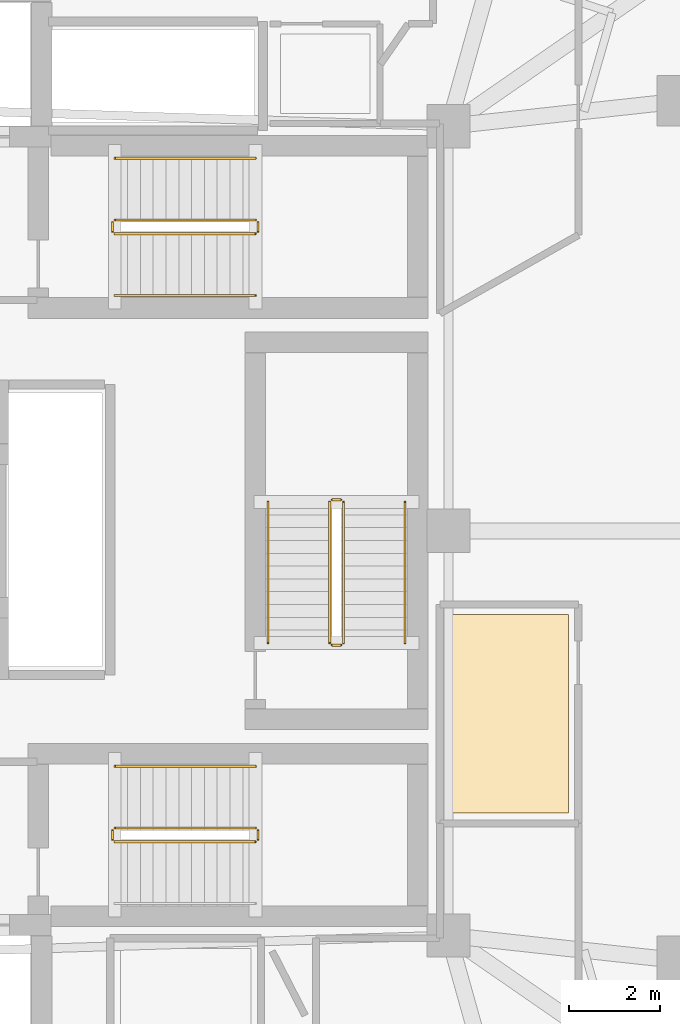
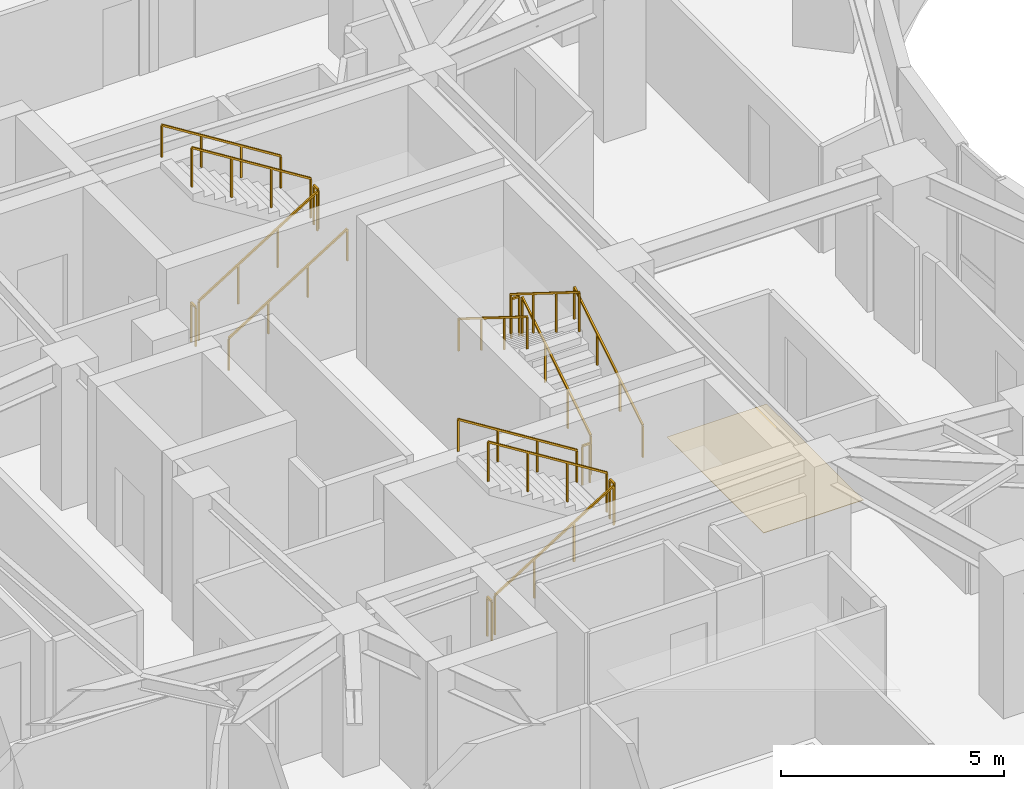
# One storey, part 14 of 15: 17 railings, 1 covering.
"""IFC4 building model written with IfcOpenShell, lengths in metres."""

from ifc_helpers import new_model, si_unit, direction, frame, origin, origin_2d, place, context, subcontext, project, spatial, polyline, rectangle, outline, extrude, material, layer, layer_set, type_object, element, save


model = new_model("IFC4")

# Units and contexts
model_context = context("Model", 3, precision=1e-05, world=origin(), true_north=direction((0.0, 1.0)))
body_context = subcontext(model_context, "Body", "Model", "MODEL_VIEW")
ifc_project = project(units=[si_unit("LENGTHUNIT", "METRE"), si_unit("AREAUNIT", "SQUARE_METRE"), si_unit("VOLUMEUNIT", "CUBIC_METRE"), si_unit("PLANEANGLEUNIT", "RADIAN"), si_unit("MASSUNIT", "GRAM", prefix="KILO")], contexts=[model_context])

# Site, building, storey
site_placement = place(None, origin())
site = spatial("IfcSite", under=ifc_project, at=site_placement, CompositionType="ELEMENT")
building_placement = place(site_placement, origin())
building = spatial("IfcBuilding", under=site, at=building_placement, Name="Korentha Bioscience Tower", CompositionType="ELEMENT")
storey_placement = place(building_placement, frame((0.0, 0.0, 42.60009765625)))
storey = spatial("IfcBuildingStorey", under=building, at=storey_placement, Name="L09", CompositionType="ELEMENT", Elevation=42.60009765625)

# Railings
ifc_material_1 = material(Name="Stainless Steel 304", Category="steel")
railing_type_1 = type_object("IfcRailingType", Name="Brushed Stainless Stair Handrail 900", PredefinedType="HANDRAIL", material=ifc_material_1)
railing_1_placement = place(storey_placement, frame((30.25, 32.14990234375, 0.1748046875)))
element("IfcRailing", 1, at=railing_1_placement, inside=storey, type_object=railing_type_1, Name="L09 ST-1 stair handrail 1", PredefinedType="HANDRAIL", context=body_context, shape_type="SweptSolid", body=[
    extrude(rectangle(XDim=0.048095703125, YDim=0.048095703125, at=origin_2d()), frame((0.0, 0.0, 0.8759765625), z_axis=(0.847998304005, 0.0, 0.529998940003), x_axis=(0.0, 1.0, 0.0)), (0.0, 0.0, 1.0), 3.632080078125),
    extrude(rectangle(XDim=0.0419921875, YDim=0.0419921875, at=origin_2d()), origin(), (0.0, 0.0, 1.0), 0.851806640625),
    extrude(rectangle(XDim=0.0419921875, YDim=0.0419921875, at=origin_2d()), frame((1.026611328125, 0.0, 0.6416015625)), (0.0, 0.0, 1.0), 0.851806640625),
    extrude(rectangle(XDim=0.0419921875, YDim=0.0419921875, at=origin_2d()), frame((2.053466796875, 0.0, 1.283447265625)), (0.0, 0.0, 1.0), 0.851806640625),
    extrude(rectangle(XDim=0.0419921875, YDim=0.0419921875, at=origin_2d()), frame((3.080078125, 0.0, 1.925048828125)), (0.0, 0.0, 1.0), 0.851806640625),
])
for number, where, name in (
    (2, (33.330078125, 35.14990234375, 2.27490234375), "L09 ST-1 stair handrail 2"),
    (3, (33.330078125, 21.85009765625, 2.27490234375), "L09 ST-2 stair handrail 2"),
):
    element("IfcRailing", number, at=place(storey_placement, frame(where)), inside=storey, type_object=railing_type_1, Name=name, PredefinedType="HANDRAIL", context=body_context, shape_type="SweptSolid", body=[
        extrude(rectangle(XDim=0.048095703125, YDim=0.048095703125, at=origin_2d()), frame((0.0, 0.0, 0.8759765625), z_axis=(-0.847998304005, 0.0, 0.529998940003), x_axis=(0.0, -1.0, 0.0)), (0.0, 0.0, 1.0), 3.632080078125),
        extrude(rectangle(XDim=0.0419921875, YDim=0.0419921875, at=origin_2d()), origin(), (0.0, 0.0, 1.0), 0.851806640625),
        extrude(rectangle(XDim=0.0419921875, YDim=0.0419921875, at=origin_2d()), frame((-1.026611328125, 0.0, 0.6416015625)), (0.0, 0.0, 1.0), 0.851806640625),
        extrude(rectangle(XDim=0.0419921875, YDim=0.0419921875, at=origin_2d()), frame((-2.053466796875, 0.0, 1.283447265625)), (0.0, 0.0, 1.0), 0.851806640625),
        extrude(rectangle(XDim=0.0419921875, YDim=0.0419921875, at=origin_2d()), frame((-3.080078125, 0.0, 1.925048828125)), (0.0, 0.0, 1.0), 0.851806640625),
    ])
railing_2_placement = place(storey_placement, frame((36.60009765625, 24.550048828125, 0.1748046875)))
element("IfcRailing", 4, at=railing_2_placement, inside=storey, type_object=railing_type_1, Name="L09 ST-3 stair handrail 1", PredefinedType="HANDRAIL", context=body_context, shape_type="SweptSolid", body=[
    extrude(rectangle(XDim=0.048095703125, YDim=0.048095703125, at=origin_2d()), frame((0.0, 0.0, 0.8759765625), z_axis=(0.0, 0.847979421464, 0.530029150871), x_axis=(-1.0, 0.0, 0.0)), (0.0, 0.0, 1.0), 3.632080078125),
    extrude(rectangle(XDim=0.0419921875, YDim=0.0419921875, at=origin_2d()), origin(), (0.0, 0.0, 1.0), 0.851806640625),
    extrude(rectangle(XDim=0.0419921875, YDim=0.0419921875, at=origin_2d()), frame((0.0, 1.026611328125, 0.6416015625)), (0.0, 0.0, 1.0), 0.851806640625),
    extrude(rectangle(XDim=0.0419921875, YDim=0.0419921875, at=origin_2d()), frame((0.0, 2.05322265625, 1.283447265625)), (0.0, 0.0, 1.0), 0.851806640625),
    extrude(rectangle(XDim=0.0419921875, YDim=0.0419921875, at=origin_2d()), frame((0.0, 3.079833984375, 1.925048828125)), (0.0, 0.0, 1.0), 0.851806640625),
])
railing_3_placement = place(storey_placement, frame((33.60009765625, 27.6298828125, 2.27490234375)))
element("IfcRailing", 5, at=railing_3_placement, inside=storey, type_object=railing_type_1, Name="L09 ST-3 stair handrail 2", PredefinedType="HANDRAIL", context=body_context, shape_type="SweptSolid", body=[
    extrude(rectangle(XDim=0.048095703125, YDim=0.048095703125, at=origin_2d()), frame((0.0, 0.0, 0.8759765625), z_axis=(0.0, -0.847979421464, 0.530029150871), x_axis=(1.0, 0.0, 0.0)), (0.0, 0.0, 1.0), 3.632080078125),
    extrude(rectangle(XDim=0.0419921875, YDim=0.0419921875, at=origin_2d()), origin(), (0.0, 0.0, 1.0), 0.851806640625),
    extrude(rectangle(XDim=0.0419921875, YDim=0.0419921875, at=origin_2d()), frame((0.0, -1.026611328125, 0.6416015625)), (0.0, 0.0, 1.0), 0.851806640625),
    extrude(rectangle(XDim=0.0419921875, YDim=0.0419921875, at=origin_2d()), frame((0.0, -2.05322265625, 1.283447265625)), (0.0, 0.0, 1.0), 0.851806640625),
    extrude(rectangle(XDim=0.0419921875, YDim=0.0419921875, at=origin_2d()), frame((0.0, -3.079833984375, 1.925048828125)), (0.0, 0.0, 1.0), 0.851806640625),
])
ifc_material_2 = material(Name="Painted Steel S275", Category="steel")
railing_type_2 = type_object("IfcRailingType", Name="Painted Steel Stair Well Guardrail 1100", PredefinedType="GUARDRAIL", material=ifc_material_2)
railing_4_placement = place(storey_placement, frame((30.25, 33.5, 0.1748046875)))
element("IfcRailing", 6, at=railing_4_placement, inside=storey, type_object=railing_type_2, Name="L09 ST-1 stair guard 1", PredefinedType="GUARDRAIL", context=body_context, shape_type="SweptSolid", body=[
    extrude(rectangle(XDim=0.048095703125, YDim=0.048095703125, at=origin_2d()), frame((0.0, 0.0, 1.076171875), z_axis=(0.847998304005, 0.0, 0.529998940003), x_axis=(0.0, 1.0, 0.0)), (0.0, 0.0, 1.0), 3.632080078125),
    extrude(rectangle(XDim=0.0419921875, YDim=0.0419921875, at=origin_2d()), origin(), (0.0, 0.0, 1.0), 1.052001953125),
    extrude(rectangle(XDim=0.0419921875, YDim=0.0419921875, at=origin_2d()), frame((1.026611328125, 0.0, 0.6416015625)), (0.0, 0.0, 1.0), 1.052001953125),
    extrude(rectangle(XDim=0.0419921875, YDim=0.0419921875, at=origin_2d()), frame((2.053466796875, 0.0, 1.283447265625)), (0.0, 0.0, 1.0), 1.052001953125),
    extrude(rectangle(XDim=0.0419921875, YDim=0.0419921875, at=origin_2d()), frame((3.080078125, 0.0, 1.925048828125)), (0.0, 0.0, 1.0), 1.052001953125),
])
railing_5_placement = place(storey_placement, frame((33.3798828125, 33.550048828125, 2.099853515625)))
element("IfcRailing", 7, at=railing_5_placement, inside=storey, type_object=railing_type_2, Name="L09 ST-1 stair guard 2", PredefinedType="GUARDRAIL", context=body_context, shape_type="SweptSolid", body=[
    extrude(rectangle(XDim=0.048095703125, YDim=0.048095703125, at=origin_2d()), frame((0.0, 0.0, 1.076171875), z_axis=(0.0, 1.0, 0.0), x_axis=(-1.0, 0.0, 0.0)), (0.0, 0.0, 1.0), 0.199951171875),
    extrude(rectangle(XDim=0.0419921875, YDim=0.0419921875, at=origin_2d()), origin(), (0.0, 0.0, 1.0), 1.052001953125),
    extrude(rectangle(XDim=0.0419921875, YDim=0.0419921875, at=origin_2d()), frame((0.0, 0.199951171875, 0.0)), (0.0, 0.0, 1.0), 1.052001953125),
])
railing_6_placement = place(storey_placement, frame((33.330078125, 33.800048828125, 2.27490234375)))
element("IfcRailing", 8, at=railing_6_placement, inside=storey, type_object=railing_type_2, Name="L09 ST-1 stair guard 3", PredefinedType="GUARDRAIL", context=body_context, shape_type="SweptSolid", body=[
    extrude(rectangle(XDim=0.048095703125, YDim=0.048095703125, at=origin_2d()), frame((0.0, 0.0, 1.076171875), z_axis=(-0.847998304005, 0.0, 0.529998940003), x_axis=(0.0, -1.0, 0.0)), (0.0, 0.0, 1.0), 3.632080078125),
    extrude(rectangle(XDim=0.0419921875, YDim=0.0419921875, at=origin_2d()), origin(), (0.0, 0.0, 1.0), 1.052001953125),
    extrude(rectangle(XDim=0.0419921875, YDim=0.0419921875, at=origin_2d()), frame((-1.026611328125, 0.0, 0.6416015625)), (0.0, 0.0, 1.0), 1.052001953125),
    extrude(rectangle(XDim=0.0419921875, YDim=0.0419921875, at=origin_2d()), frame((-2.053466796875, 0.0, 1.283447265625)), (0.0, 0.0, 1.0), 1.052001953125),
    extrude(rectangle(XDim=0.0419921875, YDim=0.0419921875, at=origin_2d()), frame((-3.080078125, 0.0, 1.925048828125)), (0.0, 0.0, 1.0), 1.052001953125),
])
railing_7_placement = place(storey_placement, frame((30.199951171875, 33.550048828125, 0.0)))
element("IfcRailing", 9, at=railing_7_placement, inside=storey, type_object=railing_type_2, Name="L09 ST-1 stair guard 4", PredefinedType="GUARDRAIL", context=body_context, shape_type="SweptSolid", body=[
    extrude(rectangle(XDim=0.048095703125, YDim=0.048095703125, at=origin_2d()), frame((0.0, 0.0, 1.076171875), z_axis=(0.0, 1.0, 0.0), x_axis=(-1.0, 0.0, 0.0)), (0.0, 0.0, 1.0), 0.199951171875),
    extrude(rectangle(XDim=0.0419921875, YDim=0.0419921875, at=origin_2d()), origin(), (0.0, 0.0, 1.0), 1.052001953125),
    extrude(rectangle(XDim=0.0419921875, YDim=0.0419921875, at=origin_2d()), frame((0.0, 0.199951171875, 0.0)), (0.0, 0.0, 1.0), 1.052001953125),
])
railing_8_placement = place(storey_placement, frame((30.25, 20.199951171875, 0.1748046875)))
element("IfcRailing", 10, at=railing_8_placement, inside=storey, type_object=railing_type_2, Name="L09 ST-2 stair guard 1", PredefinedType="GUARDRAIL", context=body_context, shape_type="SweptSolid", body=[
    extrude(rectangle(XDim=0.048095703125, YDim=0.048095703125, at=origin_2d()), frame((0.0, 0.0, 1.076171875), z_axis=(0.847998304005, 0.0, 0.529998940003), x_axis=(0.0, 1.0, 0.0)), (0.0, 0.0, 1.0), 3.632080078125),
    extrude(rectangle(XDim=0.0419921875, YDim=0.0419921875, at=origin_2d()), origin(), (0.0, 0.0, 1.0), 1.052001953125),
    extrude(rectangle(XDim=0.0419921875, YDim=0.0419921875, at=origin_2d()), frame((1.026611328125, 0.0, 0.6416015625)), (0.0, 0.0, 1.0), 1.052001953125),
    extrude(rectangle(XDim=0.0419921875, YDim=0.0419921875, at=origin_2d()), frame((2.053466796875, 0.0, 1.283447265625)), (0.0, 0.0, 1.0), 1.052001953125),
    extrude(rectangle(XDim=0.0419921875, YDim=0.0419921875, at=origin_2d()), frame((3.080078125, 0.0, 1.925048828125)), (0.0, 0.0, 1.0), 1.052001953125),
])
railing_9_placement = place(storey_placement, frame((33.3798828125, 20.25, 2.099853515625)))
element("IfcRailing", 11, at=railing_9_placement, inside=storey, type_object=railing_type_2, Name="L09 ST-2 stair guard 2", PredefinedType="GUARDRAIL", context=body_context, shape_type="SweptSolid", body=[
    extrude(rectangle(XDim=0.048095703125, YDim=0.048095703125, at=origin_2d()), frame((0.0, 0.0, 1.076171875), z_axis=(0.0, 1.0, 0.0), x_axis=(-1.0, 0.0, 0.0)), (0.0, 0.0, 1.0), 0.199951171875),
    extrude(rectangle(XDim=0.0419921875, YDim=0.0419921875, at=origin_2d()), origin(), (0.0, 0.0, 1.0), 1.052001953125),
    extrude(rectangle(XDim=0.0419921875, YDim=0.0419921875, at=origin_2d()), frame((0.0, 0.199951171875, 0.0)), (0.0, 0.0, 1.0), 1.052001953125),
])
railing_10_placement = place(storey_placement, frame((33.330078125, 20.5, 2.27490234375)))
element("IfcRailing", 12, at=railing_10_placement, inside=storey, type_object=railing_type_2, Name="L09 ST-2 stair guard 3", PredefinedType="GUARDRAIL", context=body_context, shape_type="SweptSolid", body=[
    extrude(rectangle(XDim=0.048095703125, YDim=0.048095703125, at=origin_2d()), frame((0.0, 0.0, 1.076171875), z_axis=(-0.847998304005, 0.0, 0.529998940003), x_axis=(0.0, -1.0, 0.0)), (0.0, 0.0, 1.0), 3.632080078125),
    extrude(rectangle(XDim=0.0419921875, YDim=0.0419921875, at=origin_2d()), origin(), (0.0, 0.0, 1.0), 1.052001953125),
    extrude(rectangle(XDim=0.0419921875, YDim=0.0419921875, at=origin_2d()), frame((-1.026611328125, 0.0, 0.6416015625)), (0.0, 0.0, 1.0), 1.052001953125),
    extrude(rectangle(XDim=0.0419921875, YDim=0.0419921875, at=origin_2d()), frame((-2.053466796875, 0.0, 1.283447265625)), (0.0, 0.0, 1.0), 1.052001953125),
    extrude(rectangle(XDim=0.0419921875, YDim=0.0419921875, at=origin_2d()), frame((-3.080078125, 0.0, 1.925048828125)), (0.0, 0.0, 1.0), 1.052001953125),
])
railing_11_placement = place(storey_placement, frame((30.199951171875, 20.25, 0.0)))
element("IfcRailing", 13, at=railing_11_placement, inside=storey, type_object=railing_type_2, Name="L09 ST-2 stair guard 4", PredefinedType="GUARDRAIL", context=body_context, shape_type="SweptSolid", body=[
    extrude(rectangle(XDim=0.048095703125, YDim=0.048095703125, at=origin_2d()), frame((0.0, 0.0, 1.076171875), z_axis=(0.0, 1.0, 0.0), x_axis=(-1.0, 0.0, 0.0)), (0.0, 0.0, 1.0), 0.199951171875),
    extrude(rectangle(XDim=0.0419921875, YDim=0.0419921875, at=origin_2d()), origin(), (0.0, 0.0, 1.0), 1.052001953125),
    extrude(rectangle(XDim=0.0419921875, YDim=0.0419921875, at=origin_2d()), frame((0.0, 0.199951171875, 0.0)), (0.0, 0.0, 1.0), 1.052001953125),
])
railing_12_placement = place(storey_placement, frame((35.25, 24.550048828125, 0.1748046875)))
element("IfcRailing", 14, at=railing_12_placement, inside=storey, type_object=railing_type_2, Name="L09 ST-3 stair guard 1", PredefinedType="GUARDRAIL", context=body_context, shape_type="SweptSolid", body=[
    extrude(rectangle(XDim=0.048095703125, YDim=0.048095703125, at=origin_2d()), frame((0.0, 0.0, 1.076171875), z_axis=(0.0, 0.847979421464, 0.530029150871), x_axis=(-1.0, 0.0, 0.0)), (0.0, 0.0, 1.0), 3.632080078125),
    extrude(rectangle(XDim=0.0419921875, YDim=0.0419921875, at=origin_2d()), origin(), (0.0, 0.0, 1.0), 1.052001953125),
    extrude(rectangle(XDim=0.0419921875, YDim=0.0419921875, at=origin_2d()), frame((0.0, 1.026611328125, 0.6416015625)), (0.0, 0.0, 1.0), 1.052001953125),
    extrude(rectangle(XDim=0.0419921875, YDim=0.0419921875, at=origin_2d()), frame((0.0, 2.05322265625, 1.283447265625)), (0.0, 0.0, 1.0), 1.052001953125),
    extrude(rectangle(XDim=0.0419921875, YDim=0.0419921875, at=origin_2d()), frame((0.0, 3.079833984375, 1.925048828125)), (0.0, 0.0, 1.0), 1.052001953125),
])
railing_13_placement = place(storey_placement, frame((35.199951171875, 27.679931640625, 2.099853515625)))
element("IfcRailing", 15, at=railing_13_placement, inside=storey, type_object=railing_type_2, Name="L09 ST-3 stair guard 2", PredefinedType="GUARDRAIL", context=body_context, shape_type="SweptSolid", body=[
    extrude(rectangle(XDim=0.048095703125, YDim=0.048095703125, at=origin_2d()), frame((0.0, 0.0, 1.076171875), z_axis=(-1.0, 0.0, 0.0), x_axis=(0.0, -1.0, 0.0)), (0.0, 0.0, 1.0), 0.199951171875),
    extrude(rectangle(XDim=0.0419921875, YDim=0.0419921875, at=origin_2d()), origin(), (0.0, 0.0, 1.0), 1.052001953125),
    extrude(rectangle(XDim=0.0419921875, YDim=0.0419921875, at=origin_2d()), frame((-0.199951171875, 0.0, 0.0)), (0.0, 0.0, 1.0), 1.052001953125),
])
railing_14_placement = place(storey_placement, frame((34.949951171875, 27.6298828125, 2.27490234375)))
element("IfcRailing", 16, at=railing_14_placement, inside=storey, type_object=railing_type_2, Name="L09 ST-3 stair guard 3", PredefinedType="GUARDRAIL", context=body_context, shape_type="SweptSolid", body=[
    extrude(rectangle(XDim=0.048095703125, YDim=0.048095703125, at=origin_2d()), frame((0.0, 0.0, 1.076171875), z_axis=(0.0, -0.847979421464, 0.530029150871), x_axis=(1.0, 0.0, 0.0)), (0.0, 0.0, 1.0), 3.632080078125),
    extrude(rectangle(XDim=0.0419921875, YDim=0.0419921875, at=origin_2d()), origin(), (0.0, 0.0, 1.0), 1.052001953125),
    extrude(rectangle(XDim=0.0419921875, YDim=0.0419921875, at=origin_2d()), frame((0.0, -1.026611328125, 0.6416015625)), (0.0, 0.0, 1.0), 1.052001953125),
    extrude(rectangle(XDim=0.0419921875, YDim=0.0419921875, at=origin_2d()), frame((0.0, -2.05322265625, 1.283447265625)), (0.0, 0.0, 1.0), 1.052001953125),
    extrude(rectangle(XDim=0.0419921875, YDim=0.0419921875, at=origin_2d()), frame((0.0, -3.079833984375, 1.925048828125)), (0.0, 0.0, 1.0), 1.052001953125),
])
railing_15_placement = place(storey_placement, frame((35.199951171875, 24.5, 0.0)))
element("IfcRailing", 17, at=railing_15_placement, inside=storey, type_object=railing_type_2, Name="L09 ST-3 stair guard 4", PredefinedType="GUARDRAIL", context=body_context, shape_type="SweptSolid", body=[
    extrude(rectangle(XDim=0.048095703125, YDim=0.048095703125, at=origin_2d()), frame((0.0, 0.0, 1.076171875), z_axis=(-1.0, 0.0, 0.0), x_axis=(0.0, -1.0, 0.0)), (0.0, 0.0, 1.0), 0.199951171875),
    extrude(rectangle(XDim=0.0419921875, YDim=0.0419921875, at=origin_2d()), origin(), (0.0, 0.0, 1.0), 1.052001953125),
    extrude(rectangle(XDim=0.0419921875, YDim=0.0419921875, at=origin_2d()), frame((-0.199951171875, 0.0, 0.0)), (0.0, 0.0, 1.0), 1.052001953125),
])

# Covering
ifc_material_3 = material(Name="Chemical-Resistant Epoxy Resin", Category="polymer")
ifc_layer = layer(ifc_material_3, 0.011962890625, Name="Chemical-Resistant Epoxy Resin")
ifc_layer_set = layer_set([ifc_layer], Name="Chemical-Resistant Epoxy Resin (FL-EPX)")
covering_type = type_object("IfcCoveringType", Name="Seamless Epoxy Laboratory Flooring 12", PredefinedType="FLOORING", material=ifc_layer_set)
covering_placement = place(storey_placement, origin())
element("IfcCovering", 18, at=covering_placement, inside=storey, type_object=covering_type, Name="L09 Cryogenic Dewar Supply Store 07 Floor Finish", PredefinedType="FLOORING", context=body_context, shape_type="SweptSolid", body=[
    extrude(outline(polyline([(37.580078125, 25.169921875), (40.169921875, 25.169921875), (40.169921875, 20.827880859375), (37.580078125, 20.827880859375), (37.580078125, 25.169921875)])), origin(), (0.0, 0.0, 1.0), 0.011962890625),
])

save(model, "model.ifc")
